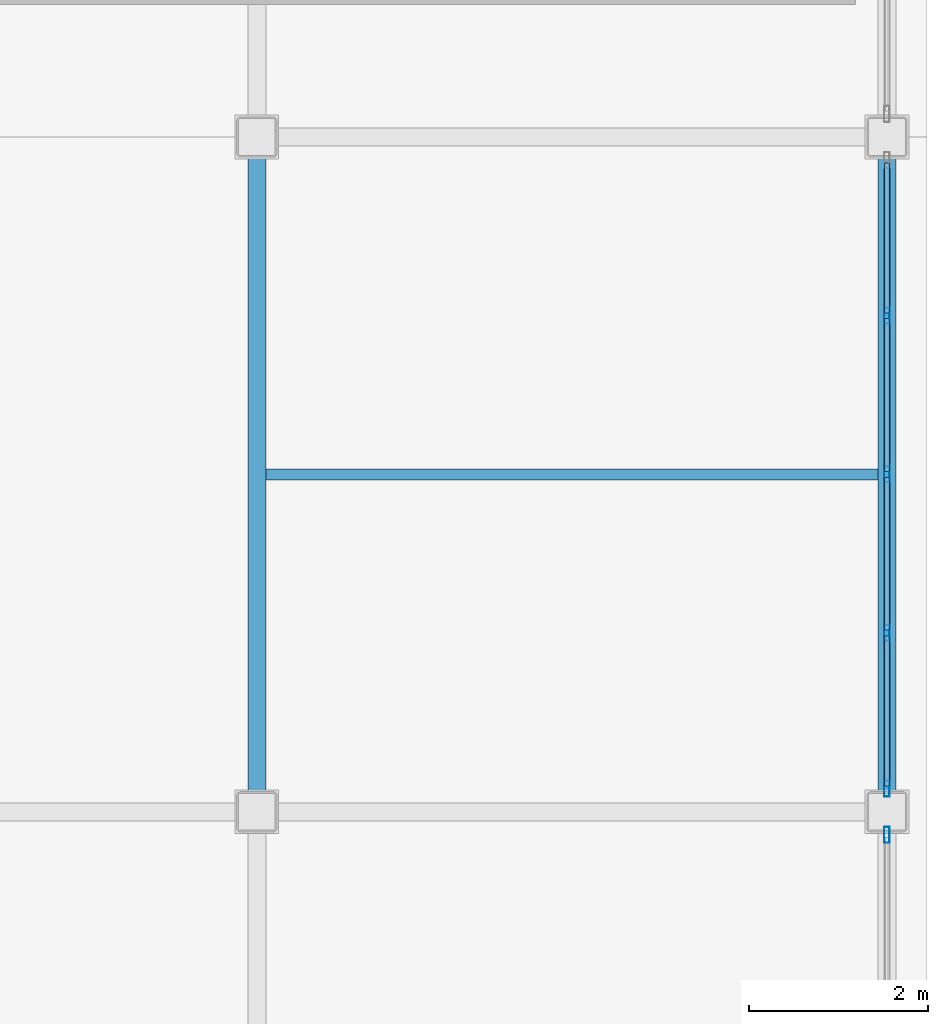
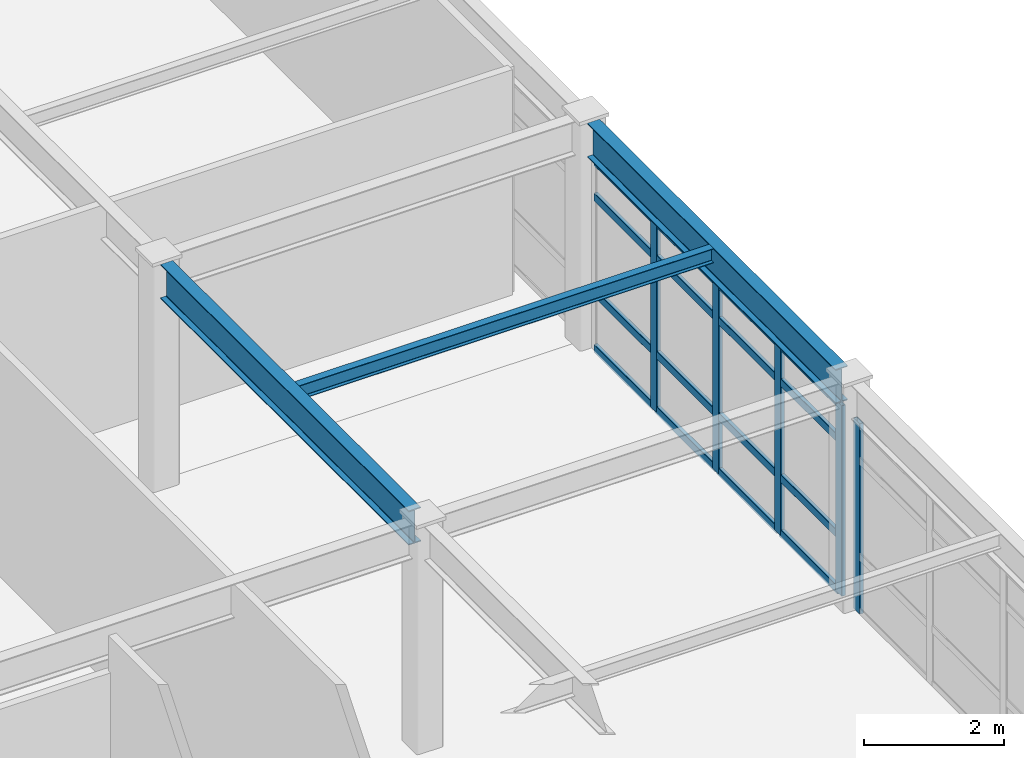
# One storey, part 14 of 34: 21 members, 3 beams, 2 elements without a shape of their own.
"""IFC4 building model written with IfcOpenShell, lengths in metres."""

from ifc_helpers import new_model, si_unit, direction, frame, origin, origin_2d, place, context, subcontext, project, spatial, hollow_rectangle, i_section, extrude, material, layer, layer_set, material_profile, profile_set, type_object, element, aggregate, save


model = new_model("IFC4")

# Units and contexts
model_context = context("Model", 3, precision=1e-05, world=origin(), true_north=direction((0.0, 1.0)))
body_context = subcontext(model_context, "Body", "Model", "MODEL_VIEW")
ifc_project = project(units=[si_unit("LENGTHUNIT", "METRE"), si_unit("AREAUNIT", "SQUARE_METRE"), si_unit("VOLUMEUNIT", "CUBIC_METRE"), si_unit("PLANEANGLEUNIT", "RADIAN"), si_unit("MASSUNIT", "GRAM", prefix="KILO")], contexts=[model_context])

# Site, building, storey
site_placement = place(None, origin())
site = spatial("IfcSite", under=ifc_project, at=site_placement, CompositionType="ELEMENT")
building_placement = place(site_placement, origin())
building = spatial("IfcBuilding", under=site, at=building_placement, Name="Kazehara Bluff Congress Hotel", CompositionType="ELEMENT")
storey_placement = place(building_placement, frame((0.0, 0.0, 46.199951171875)))
storey = spatial("IfcBuildingStorey", under=building, at=storey_placement, Name="L11", CompositionType="ELEMENT", Elevation=46.199951171875)

# Curtain wall, member
ifc_material_1 = material(Name="Anodised aluminium", Category="aluminium")
ifc_layer_1 = layer(ifc_material_1, 0.159912109375)
ifc_layer_set_1 = layer_set([ifc_layer_1], Name="Anodised aluminium")
curtain_wall_type_1 = type_object("IfcCurtainWallType", Name="TP-CW-85", PredefinedType="NOTDEFINED", material=ifc_layer_set_1)
curtain_wall_1_placement = place(storey_placement, origin())
curtain_wall_1 = element("IfcCurtainWall", 1, at=curtain_wall_1_placement, inside=storey, type_object=curtain_wall_type_1, Name="L11 curtain wall CW-85 CW-V5-L11-X16755-3222", PredefinedType="NOTDEFINED")
ifc_material_2 = material(Name="Anodised aluminium", Category="aluminium")
ifc_material_profile_1 = material_profile(ifc_material_2, hollow_rectangle(XDim=0.06494140625, YDim=0.179931640625, WallThickness=0.00390625, InnerFilletRadius=0.00390625, OuterFilletRadius=0.008056640625, at=origin_2d()))
ifc_profile_set_1 = profile_set([ifc_material_profile_1], Name="Anodised aluminium")
member_type_1 = type_object("IfcMemberType", Name="TP-CWM-02", PredefinedType="MULLION", material=ifc_profile_set_1)
member_1_placement = place(storey_placement, frame((167.550048828125, 40.642578125, 0.0), z_axis=(0.0, 0.0, 1.0), x_axis=(-1.0, 0.0, 0.0)))
member_1 = element("IfcMember", 2, at=member_1_placement, type_object=member_type_1, Name="CW-85 mullion 5", PredefinedType="MULLION", context=body_context, shape_type="SweptSolid", body=[
    extrude(hollow_rectangle(XDim=0.06494140625, YDim=0.179931640625, WallThickness=0.00390625, InnerFilletRadius=0.00390625, OuterFilletRadius=0.008056640625, at=origin_2d()), origin(), (0.0, 0.0, 1.0), 3.324951171875),
])
aggregate(curtain_wall_1, [member_1])

# Curtain wall, members
ifc_material_3 = material(Name="Anodised aluminium", Category="aluminium")
ifc_layer_2 = layer(ifc_material_3, 0.159912109375)
ifc_layer_set_2 = layer_set([ifc_layer_2], Name="Anodised aluminium")
curtain_wall_type_2 = type_object("IfcCurtainWallType", Name="TP-CW-86", PredefinedType="NOTDEFINED", material=ifc_layer_set_2)
curtain_wall_2_placement = place(storey_placement, origin())
curtain_wall_2 = element("IfcCurtainWall", 3, at=curtain_wall_2_placement, inside=storey, type_object=curtain_wall_type_2, Name="L11 curtain wall CW-86 CW-V5-L11-X16755-4112", PredefinedType="NOTDEFINED")
member_2_placement = place(storey_placement, frame((167.550048828125, 41.157470703125, 0.0), z_axis=(0.0, 0.0, 1.0), x_axis=(-1.0, 0.0, 0.0)))
member_2 = element("IfcMember", 4, at=member_2_placement, type_object=member_type_1, Name="CW-86 mullion 1", PredefinedType="MULLION", context=body_context, shape_type="SweptSolid", body=[
    extrude(hollow_rectangle(XDim=0.06494140625, YDim=0.179931640625, WallThickness=0.00390625, InnerFilletRadius=0.00390625, OuterFilletRadius=0.008056640625, at=origin_2d()), origin(), (0.0, 0.0, 1.0), 3.324951171875),
])
member_3_placement = place(storey_placement, frame((167.550048828125, 42.89990234375, 0.0), z_axis=(0.0, 0.0, 1.0), x_axis=(-1.0, 0.0, 0.0)))
member_3 = element("IfcMember", 5, at=member_3_placement, type_object=member_type_1, Name="CW-86 mullion 2", PredefinedType="MULLION", context=body_context, shape_type="SweptSolid", body=[
    extrude(hollow_rectangle(XDim=0.06494140625, YDim=0.179931640625, WallThickness=0.00390625, InnerFilletRadius=0.00390625, OuterFilletRadius=0.008056640625, at=origin_2d()), origin(), (0.0, 0.0, 1.0), 3.324951171875),
])
member_4_placement = place(storey_placement, frame((167.550048828125, 44.675048828125, 0.0), z_axis=(0.0, 0.0, 1.0), x_axis=(-1.0, 0.0, 0.0)))
member_4 = element("IfcMember", 6, at=member_4_placement, type_object=member_type_1, Name="CW-86 mullion 3", PredefinedType="MULLION", context=body_context, shape_type="SweptSolid", body=[
    extrude(hollow_rectangle(XDim=0.06494140625, YDim=0.179931640625, WallThickness=0.00390625, InnerFilletRadius=0.00390625, OuterFilletRadius=0.008056640625, at=origin_2d()), origin(), (0.0, 0.0, 1.0), 3.324951171875),
])
member_5_placement = place(storey_placement, frame((167.550048828125, 46.449951171875, 0.0), z_axis=(0.0, 0.0, 1.0), x_axis=(-1.0, 0.0, 0.0)))
member_5 = element("IfcMember", 7, at=member_5_placement, type_object=member_type_1, Name="CW-86 mullion 4", PredefinedType="MULLION", context=body_context, shape_type="SweptSolid", body=[
    extrude(hollow_rectangle(XDim=0.06494140625, YDim=0.179931640625, WallThickness=0.00390625, InnerFilletRadius=0.00390625, OuterFilletRadius=0.008056640625, at=origin_2d()), origin(), (0.0, 0.0, 1.0), 3.324951171875),
])
ifc_material_4 = material(Name="Anodised aluminium", Category="aluminium")
ifc_material_profile_2 = material_profile(ifc_material_4, hollow_rectangle(XDim=0.06494140625, YDim=0.139892578125, WallThickness=0.00390625, InnerFilletRadius=0.00390625, OuterFilletRadius=0.008056640625, at=origin_2d()))
ifc_profile_set_2 = profile_set([ifc_material_profile_2], Name="Anodised aluminium")
member_type_2 = type_object("IfcMemberType", Name="TP-CWT-02", PredefinedType="USERDEFINED", material=ifc_profile_set_2)
member_6_placement = place(storey_placement, frame((167.550048828125, 41.18994140625, 0.032470703125), z_axis=(0.0, 1.0, 0.0), x_axis=(-1.0, 0.0, 0.0)))
member_6 = element("IfcMember", 8, at=member_6_placement, type_object=member_type_2, Name="CW-86 transom 1.1", ObjectType="TRANSOM", PredefinedType="USERDEFINED", context=body_context, shape_type="SweptSolid", body=[
    extrude(hollow_rectangle(XDim=0.06494140625, YDim=0.139892578125, WallThickness=0.00390625, InnerFilletRadius=0.00390625, OuterFilletRadius=0.008056640625, at=origin_2d()), origin(), (0.0, 0.0, 1.0), 1.677490234375),
])
member_7_placement = place(storey_placement, frame((167.550048828125, 41.18994140625, 1.0), z_axis=(0.0, 1.0, 0.0), x_axis=(-1.0, 0.0, 0.0)))
member_7 = element("IfcMember", 9, at=member_7_placement, type_object=member_type_2, Name="CW-86 transom 1.2", ObjectType="TRANSOM", PredefinedType="USERDEFINED", context=body_context, shape_type="SweptSolid", body=[
    extrude(hollow_rectangle(XDim=0.06494140625, YDim=0.139892578125, WallThickness=0.00390625, InnerFilletRadius=0.00390625, OuterFilletRadius=0.008056640625, at=origin_2d()), origin(), (0.0, 0.0, 1.0), 1.677490234375),
])
member_8_placement = place(storey_placement, frame((167.550048828125, 41.18994140625, 2.675048828125), z_axis=(0.0, 1.0, 0.0), x_axis=(-1.0, 0.0, 0.0)))
member_8 = element("IfcMember", 10, at=member_8_placement, type_object=member_type_2, Name="CW-86 transom 1.3", ObjectType="TRANSOM", PredefinedType="USERDEFINED", context=body_context, shape_type="SweptSolid", body=[
    extrude(hollow_rectangle(XDim=0.06494140625, YDim=0.139892578125, WallThickness=0.00390625, InnerFilletRadius=0.00390625, OuterFilletRadius=0.008056640625, at=origin_2d()), origin(), (0.0, 0.0, 1.0), 1.677490234375),
])
member_9_placement = place(storey_placement, frame((167.550048828125, 41.18994140625, 3.29248046875), z_axis=(0.0, 1.0, 0.0), x_axis=(-1.0, 0.0, 0.0)))
member_9 = element("IfcMember", 11, at=member_9_placement, type_object=member_type_2, Name="CW-86 transom 1.4", ObjectType="TRANSOM", PredefinedType="USERDEFINED", context=body_context, shape_type="SweptSolid", body=[
    extrude(hollow_rectangle(XDim=0.06494140625, YDim=0.139892578125, WallThickness=0.00390625, InnerFilletRadius=0.00390625, OuterFilletRadius=0.008056640625, at=origin_2d()), origin(), (0.0, 0.0, 1.0), 1.677490234375),
])
member_10_placement = place(storey_placement, frame((167.550048828125, 42.9326171875, 0.032470703125), z_axis=(0.0, 1.0, 0.0), x_axis=(-1.0, 0.0, 0.0)))
member_10 = element("IfcMember", 12, at=member_10_placement, type_object=member_type_2, Name="CW-86 transom 2.1", ObjectType="TRANSOM", PredefinedType="USERDEFINED", context=body_context, shape_type="SweptSolid", body=[
    extrude(hollow_rectangle(XDim=0.06494140625, YDim=0.139892578125, WallThickness=0.00390625, InnerFilletRadius=0.00390625, OuterFilletRadius=0.008056640625, at=origin_2d()), origin(), (0.0, 0.0, 1.0), 1.7099609375),
])
member_11_placement = place(storey_placement, frame((167.550048828125, 42.9326171875, 1.0), z_axis=(0.0, 1.0, 0.0), x_axis=(-1.0, 0.0, 0.0)))
member_11 = element("IfcMember", 13, at=member_11_placement, type_object=member_type_2, Name="CW-86 transom 2.2", ObjectType="TRANSOM", PredefinedType="USERDEFINED", context=body_context, shape_type="SweptSolid", body=[
    extrude(hollow_rectangle(XDim=0.06494140625, YDim=0.139892578125, WallThickness=0.00390625, InnerFilletRadius=0.00390625, OuterFilletRadius=0.008056640625, at=origin_2d()), origin(), (0.0, 0.0, 1.0), 1.7099609375),
])
member_12_placement = place(storey_placement, frame((167.550048828125, 42.9326171875, 2.675048828125), z_axis=(0.0, 1.0, 0.0), x_axis=(-1.0, 0.0, 0.0)))
member_12 = element("IfcMember", 14, at=member_12_placement, type_object=member_type_2, Name="CW-86 transom 2.3", ObjectType="TRANSOM", PredefinedType="USERDEFINED", context=body_context, shape_type="SweptSolid", body=[
    extrude(hollow_rectangle(XDim=0.06494140625, YDim=0.139892578125, WallThickness=0.00390625, InnerFilletRadius=0.00390625, OuterFilletRadius=0.008056640625, at=origin_2d()), origin(), (0.0, 0.0, 1.0), 1.7099609375),
])
member_13_placement = place(storey_placement, frame((167.550048828125, 42.9326171875, 3.29248046875), z_axis=(0.0, 1.0, 0.0), x_axis=(-1.0, 0.0, 0.0)))
member_13 = element("IfcMember", 15, at=member_13_placement, type_object=member_type_2, Name="CW-86 transom 2.4", ObjectType="TRANSOM", PredefinedType="USERDEFINED", context=body_context, shape_type="SweptSolid", body=[
    extrude(hollow_rectangle(XDim=0.06494140625, YDim=0.139892578125, WallThickness=0.00390625, InnerFilletRadius=0.00390625, OuterFilletRadius=0.008056640625, at=origin_2d()), origin(), (0.0, 0.0, 1.0), 1.7099609375),
])
member_14_placement = place(storey_placement, frame((167.550048828125, 44.70751953125, 0.032470703125), z_axis=(0.0, 1.0, 0.0), x_axis=(-1.0, 0.0, 0.0)))
member_14 = element("IfcMember", 16, at=member_14_placement, type_object=member_type_2, Name="CW-86 transom 3.1", ObjectType="TRANSOM", PredefinedType="USERDEFINED", context=body_context, shape_type="SweptSolid", body=[
    extrude(hollow_rectangle(XDim=0.06494140625, YDim=0.139892578125, WallThickness=0.00390625, InnerFilletRadius=0.00390625, OuterFilletRadius=0.008056640625, at=origin_2d()), origin(), (0.0, 0.0, 1.0), 1.7099609375),
])
member_15_placement = place(storey_placement, frame((167.550048828125, 44.70751953125, 1.0), z_axis=(0.0, 1.0, 0.0), x_axis=(-1.0, 0.0, 0.0)))
member_15 = element("IfcMember", 17, at=member_15_placement, type_object=member_type_2, Name="CW-86 transom 3.2", ObjectType="TRANSOM", PredefinedType="USERDEFINED", context=body_context, shape_type="SweptSolid", body=[
    extrude(hollow_rectangle(XDim=0.06494140625, YDim=0.139892578125, WallThickness=0.00390625, InnerFilletRadius=0.00390625, OuterFilletRadius=0.008056640625, at=origin_2d()), origin(), (0.0, 0.0, 1.0), 1.7099609375),
])
member_16_placement = place(storey_placement, frame((167.550048828125, 44.70751953125, 2.675048828125), z_axis=(0.0, 1.0, 0.0), x_axis=(-1.0, 0.0, 0.0)))
member_16 = element("IfcMember", 18, at=member_16_placement, type_object=member_type_2, Name="CW-86 transom 3.3", ObjectType="TRANSOM", PredefinedType="USERDEFINED", context=body_context, shape_type="SweptSolid", body=[
    extrude(hollow_rectangle(XDim=0.06494140625, YDim=0.139892578125, WallThickness=0.00390625, InnerFilletRadius=0.00390625, OuterFilletRadius=0.008056640625, at=origin_2d()), origin(), (0.0, 0.0, 1.0), 1.7099609375),
])
member_17_placement = place(storey_placement, frame((167.550048828125, 44.70751953125, 3.29248046875), z_axis=(0.0, 1.0, 0.0), x_axis=(-1.0, 0.0, 0.0)))
member_17 = element("IfcMember", 19, at=member_17_placement, type_object=member_type_2, Name="CW-86 transom 3.4", ObjectType="TRANSOM", PredefinedType="USERDEFINED", context=body_context, shape_type="SweptSolid", body=[
    extrude(hollow_rectangle(XDim=0.06494140625, YDim=0.139892578125, WallThickness=0.00390625, InnerFilletRadius=0.00390625, OuterFilletRadius=0.008056640625, at=origin_2d()), origin(), (0.0, 0.0, 1.0), 1.7099609375),
])
member_18_placement = place(storey_placement, frame((167.550048828125, 46.482421875, 0.032470703125), z_axis=(0.0, 1.0, 0.0), x_axis=(-1.0, 0.0, 0.0)))
member_18 = element("IfcMember", 20, at=member_18_placement, type_object=member_type_2, Name="CW-86 transom 4.1", ObjectType="TRANSOM", PredefinedType="USERDEFINED", context=body_context, shape_type="SweptSolid", body=[
    extrude(hollow_rectangle(XDim=0.06494140625, YDim=0.139892578125, WallThickness=0.00390625, InnerFilletRadius=0.00390625, OuterFilletRadius=0.008056640625, at=origin_2d()), origin(), (0.0, 0.0, 1.0), 1.677490234375),
])
member_19_placement = place(storey_placement, frame((167.550048828125, 46.482421875, 1.0), z_axis=(0.0, 1.0, 0.0), x_axis=(-1.0, 0.0, 0.0)))
member_19 = element("IfcMember", 21, at=member_19_placement, type_object=member_type_2, Name="CW-86 transom 4.2", ObjectType="TRANSOM", PredefinedType="USERDEFINED", context=body_context, shape_type="SweptSolid", body=[
    extrude(hollow_rectangle(XDim=0.06494140625, YDim=0.139892578125, WallThickness=0.00390625, InnerFilletRadius=0.00390625, OuterFilletRadius=0.008056640625, at=origin_2d()), origin(), (0.0, 0.0, 1.0), 1.677490234375),
])
member_20_placement = place(storey_placement, frame((167.550048828125, 46.482421875, 2.675048828125), z_axis=(0.0, 1.0, 0.0), x_axis=(-1.0, 0.0, 0.0)))
member_20 = element("IfcMember", 22, at=member_20_placement, type_object=member_type_2, Name="CW-86 transom 4.3", ObjectType="TRANSOM", PredefinedType="USERDEFINED", context=body_context, shape_type="SweptSolid", body=[
    extrude(hollow_rectangle(XDim=0.06494140625, YDim=0.139892578125, WallThickness=0.00390625, InnerFilletRadius=0.00390625, OuterFilletRadius=0.008056640625, at=origin_2d()), origin(), (0.0, 0.0, 1.0), 1.677490234375),
])
member_21_placement = place(storey_placement, frame((167.550048828125, 46.482421875, 3.29248046875), z_axis=(0.0, 1.0, 0.0), x_axis=(-1.0, 0.0, 0.0)))
member_21 = element("IfcMember", 23, at=member_21_placement, type_object=member_type_2, Name="CW-86 transom 4.4", ObjectType="TRANSOM", PredefinedType="USERDEFINED", context=body_context, shape_type="SweptSolid", body=[
    extrude(hollow_rectangle(XDim=0.06494140625, YDim=0.139892578125, WallThickness=0.00390625, InnerFilletRadius=0.00390625, OuterFilletRadius=0.008056640625, at=origin_2d()), origin(), (0.0, 0.0, 1.0), 1.677490234375),
])
aggregate(curtain_wall_2, [member_2, member_3, member_4, member_5, member_6, member_7, member_8, member_9, member_10, member_11, member_12, member_13, member_14, member_15, member_16, member_17, member_18, member_19, member_20, member_21])

# Beams
ifc_material_5 = material(Name="Steel SN490B", Category="steel")
ifc_material_profile_3 = material_profile(ifc_material_5, i_section(OverallWidth=0.199951171875, OverallDepth=0.60009765625, WebThickness=0.010986328125, FlangeThickness=0.01708984375, FilletRadius=0.012939453125, at=origin_2d()))
ifc_profile_set_3 = profile_set([ifc_material_profile_3], Name="Steel SN490B")
beam_type_1 = type_object("IfcBeamType", Name="TP-G-02", PredefinedType="BEAM", material=ifc_profile_set_3)
for number, where, z_axis, x_axis, name in (
    (24, (160.5, 41.125, 3.650146484375), (0.0, 1.0, 0.0), (-1.0, 0.0, 0.0), "L11 girder G-02 17"),
    (25, (167.550048828125, 41.125, 3.650146484375), (0.0, 1.0, 0.0), (-1.0, 0.0, 0.0), "L11 girder G-02 22"),
):
    element("IfcBeam", number, at=place(storey_placement, frame(where, z_axis=z_axis, x_axis=x_axis)), inside=storey, type_object=beam_type_1, Name=name, PredefinedType="BEAM", context=body_context, shape_type="SweptSolid", body=[
        extrude(i_section(OverallWidth=0.199951171875, OverallDepth=0.60009765625, WebThickness=0.010986328125, FlangeThickness=0.01708984375, FilletRadius=0.012939453125, at=origin_2d()), origin(), (0.0, 0.0, 1.0), 7.10009765625),
    ])
ifc_material_6 = material(Name="Steel SN400B", Category="steel")
ifc_material_profile_4 = material_profile(ifc_material_6, i_section(OverallWidth=0.125, OverallDepth=0.25, WebThickness=0.006103515625, FlangeThickness=0.009033203125, FilletRadius=0.008056640625, at=origin_2d()))
ifc_profile_set_4 = profile_set([ifc_material_profile_4], Name="Steel SN400B")
beam_type_2 = type_object("IfcBeamType", Name="TP-J-05", PredefinedType="JOIST", material=ifc_profile_set_4)
beam_placement = place(storey_placement, frame((160.60009765625, 44.675048828125, 3.824951171875), z_axis=(1.0, 0.0, 0.0), x_axis=(0.0, 1.0, 0.0)))
element("IfcBeam", 26, at=beam_placement, inside=storey, type_object=beam_type_2, Name="L11 secondary joist J-05 10", PredefinedType="JOIST", context=body_context, shape_type="SweptSolid", body=[
    extrude(i_section(OverallWidth=0.125, OverallDepth=0.25, WebThickness=0.006103515625, FlangeThickness=0.009033203125, FilletRadius=0.008056640625, at=origin_2d()), origin(), (0.0, 0.0, 1.0), 6.849853515625),
])

save(model, "model.ifc")
